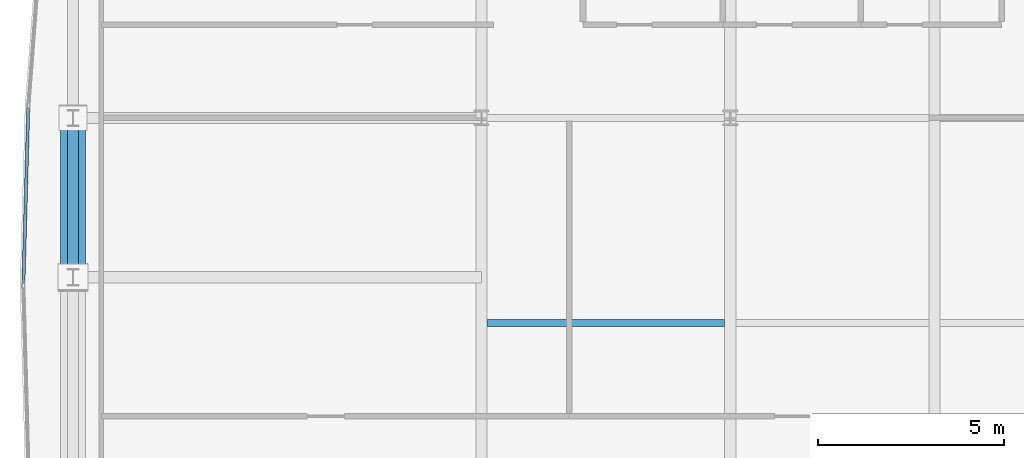
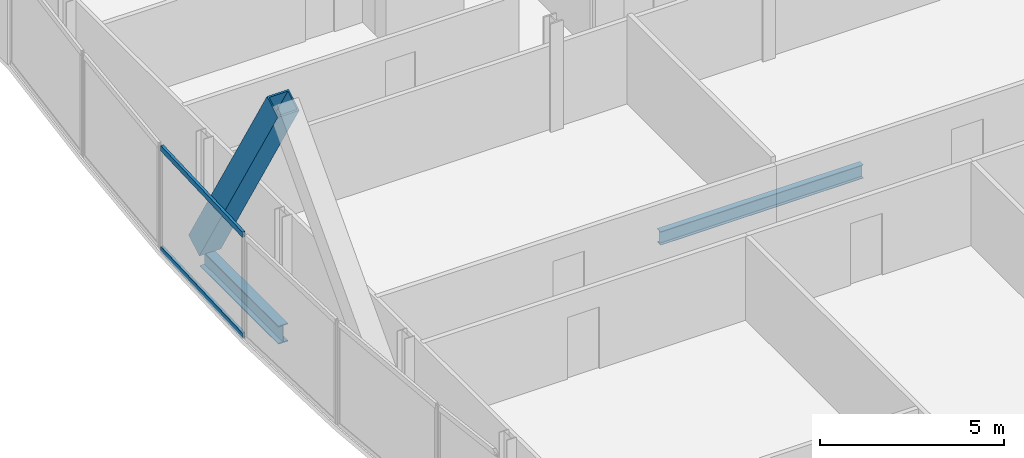
# One storey, part 11 of 32: 3 members, 2 beams, 1 element without a shape of its own.
"""IFC4 building model written with IfcOpenShell, lengths in metres."""

from ifc_helpers import new_model, si_unit, direction, frame, origin, origin_2d, place, context, subcontext, project, spatial, hollow_rectangle, i_section, extrude, material, material_profile, profile_set, type_object, element, aggregate, save


model = new_model("IFC4")

# Units and contexts
model_context = context("Model", 3, precision=1e-05, world=origin(), true_north=direction((0.0, 1.0)))
body_context = subcontext(model_context, "Body", "Model", "MODEL_VIEW")
ifc_project = project(units=[si_unit("LENGTHUNIT", "METRE"), si_unit("AREAUNIT", "SQUARE_METRE"), si_unit("VOLUMEUNIT", "CUBIC_METRE"), si_unit("PLANEANGLEUNIT", "RADIAN"), si_unit("MASSUNIT", "GRAM", prefix="KILO")], contexts=[model_context])

# Site, building, storey
site_placement = place(None, origin())
site = spatial("IfcSite", under=ifc_project, at=site_placement, CompositionType="ELEMENT")
building_placement = place(site_placement, origin())
building = spatial("IfcBuilding", under=site, at=building_placement, Name="Khoronbel Lancet Exchange", CompositionType="ELEMENT")
storey_placement = place(building_placement, frame((0.0, 0.0, 231.800048828125)))
storey = spatial("IfcBuildingStorey", under=building, at=storey_placement, Name="L59", CompositionType="ELEMENT", Elevation=231.800048828125)

# Beams
ifc_material_1 = material(Name="Steel S355", Category="steel")
ifc_material_profile_1 = material_profile(ifc_material_1, i_section(OverallWidth=0.18994140625, OverallDepth=0.449951171875, WebThickness=0.009521484375, FlangeThickness=0.0146484375, at=origin_2d()), Name="IPE 450")
ifc_profile_set_1 = profile_set([ifc_material_profile_1], Name="Steel S355")
beam_type_1 = type_object("IfcBeamType", Name="BM-BJ4", PredefinedType="JOIST", material=ifc_profile_set_1)
beam_1_placement = place(storey_placement, frame((18.375, 30.199951171875, -0.385009765625), z_axis=(1.0, 0.0, 0.0), x_axis=(0.0, 1.0, 0.0)))
element("IfcBeam", 1, at=beam_1_placement, inside=storey, type_object=beam_type_1, Name="Level L59 secondary composite joist J11", PredefinedType="JOIST", context=body_context, shape_type="SweptSolid", body=[
    extrude(i_section(OverallWidth=0.18994140625, OverallDepth=0.449951171875, WebThickness=0.009521484375, FlangeThickness=0.0146484375, at=origin_2d()), origin(), (0.0, 0.0, 1.0), 6.375),
])
ifc_material_profile_2 = material_profile(ifc_material_1, i_section(OverallWidth=0.300048828125, OverallDepth=0.60009765625, WebThickness=0.015380859375, FlangeThickness=0.030029296875, at=origin_2d()), Name="HEB 600")
ifc_profile_set_2 = profile_set([ifc_material_profile_2], Name="Steel S355")
beam_type_2 = type_object("IfcBeamType", Name="BM-BSP2", PredefinedType="SPANDREL", material=ifc_profile_set_2)
beam_2_placement = place(storey_placement, frame((7.27001953125, 35.699951171875, -0.4599609375), z_axis=(0.0, -1.0, 0.0), x_axis=(1.0, 0.0, 0.0)))
element("IfcBeam", 2, at=beam_2_placement, inside=storey, type_object=beam_type_2, Name="Level L59 perimeter spandrel beam SP18", PredefinedType="SPANDREL", context=body_context, shape_type="SweptSolid", body=[
    extrude(i_section(OverallWidth=0.300048828125, OverallDepth=0.60009765625, WebThickness=0.015380859375, FlangeThickness=0.030029296875, at=origin_2d()), origin(), (0.0, 0.0, 1.0), 4.27490234375),
])

# Curtain wall, members
ifc_material_2 = material(Name="Low-E Solar Control Insulating Glass", Category="glass")
curtain_wall_type = type_object("IfcCurtainWallType", Name="CW-4", PredefinedType="NOTDEFINED", material=ifc_material_2)
curtain_wall_placement = place(storey_placement, origin())
curtain_wall = element("IfcCurtainWall", 3, at=curtain_wall_placement, inside=storey, type_object=curtain_wall_type, Name="Unitised curtain wall CW-L59-E07", PredefinedType="NOTDEFINED")
ifc_material_3 = material(Name="Bronze-Anodised Aluminium 6063-T6", Category="aluminium")
ifc_material_profile_3 = material_profile(ifc_material_3, hollow_rectangle(XDim=0.0849609375, YDim=0.179931640625, WallThickness=0.0048828125, at=origin_2d()), Name="ALU TRANSOM 85x180")
ifc_profile_set_3 = profile_set([ifc_material_profile_3], Name="Bronze-Anodised Aluminium 6063-T6")
member_type_1 = type_object("IfcMemberType", Name="MEM-CWT1", PredefinedType="USERDEFINED", material=ifc_profile_set_3)
member_1_placement = place(storey_placement, frame((5.942138671875, 31.27490234375, 0.04248046875), z_axis=(0.027697572591, 0.999616348642, 0.0), x_axis=(-0.999616348642, 0.027697572591, 0.0)))
member_1 = element("IfcMember", 4, at=member_1_placement, type_object=member_type_1, Name="CW4 transom 1.1", ObjectType="TRANSOM", PredefinedType="USERDEFINED", context=body_context, shape_type="SweptSolid", body=[
    extrude(hollow_rectangle(XDim=0.0849609375, YDim=0.179931640625, WallThickness=0.0048828125, at=origin_2d()), origin(), (0.0, 0.0, 1.0), 4.680419921875),
])
member_2_placement = place(storey_placement, frame((5.942138671875, 31.27490234375, 3.3974609375), z_axis=(0.027697572591, 0.999616348642, 0.0), x_axis=(-0.999616348642, 0.027697572591, 0.0)))
member_2 = element("IfcMember", 5, at=member_2_placement, type_object=member_type_1, Name="CW4 transom 1.2", ObjectType="TRANSOM", PredefinedType="USERDEFINED", context=body_context, shape_type="SweptSolid", body=[
    extrude(hollow_rectangle(XDim=0.0849609375, YDim=0.179931640625, WallThickness=0.0048828125, at=origin_2d()), origin(), (0.0, 0.0, 1.0), 4.680419921875),
])
aggregate(curtain_wall, [member_1, member_2])

# Member
ifc_material_4 = material(Name="Steel S460", Category="steel")
ifc_material_profile_4 = material_profile(ifc_material_4, hollow_rectangle(XDim=0.679931640625, YDim=0.679931640625, WallThickness=0.044921875, at=origin_2d()), Name="BOX 680x680x45")
ifc_profile_set_4 = profile_set([ifc_material_profile_4], Name="Steel S460")
member_type_2 = type_object("IfcMemberType", Name="MEM-MB3", PredefinedType="BRACE", material=ifc_profile_set_4)
member_3_placement = place(storey_placement, frame((7.27001953125, 35.699951171875, 0.0), z_axis=(0.0, -0.510532691247, 0.859858343664), x_axis=(1.0, 0.0, 0.0)))
element("IfcMember", 6, at=member_3_placement, inside=storey, type_object=member_type_2, Name="Perimeter lancet brace tier 20 W-P-R", PredefinedType="BRACE", context=body_context, shape_type="SweptSolid", body=[
    extrude(hollow_rectangle(XDim=0.679931640625, YDim=0.679931640625, WallThickness=0.044921875, at=origin_2d()), origin(), (0.0, 0.0, 1.0), 8.37353515625),
])

save(model, "model.ifc")
